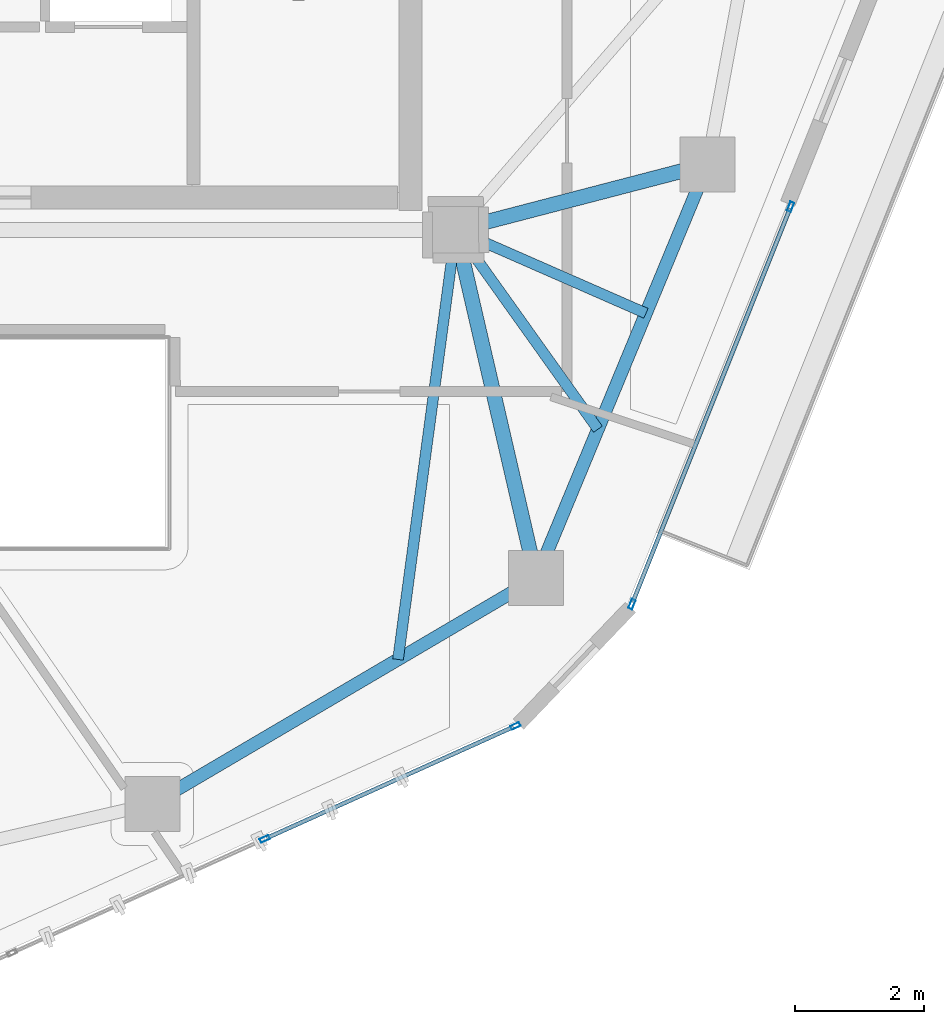
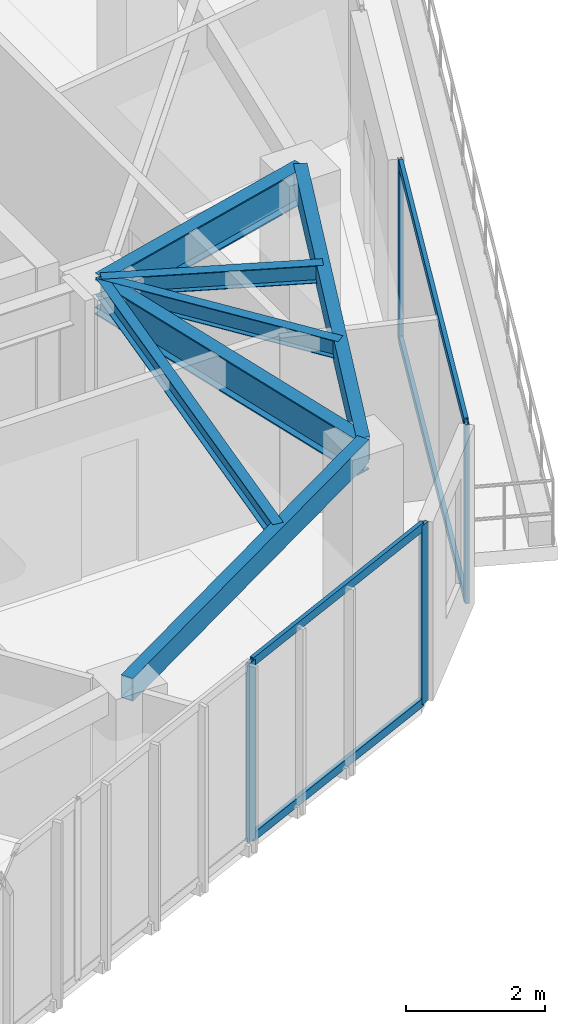
# One storey, part 6 of 21: 8 members, 7 beams, 2 elements without a shape of their own.
"""IFC4 building model written with IfcOpenShell, lengths in metres."""

from ifc_helpers import new_model, si_unit, direction, frame, origin, origin_2d, place, context, subcontext, project, spatial, hollow_rectangle, i_section, extrude, source, transform, mapped, material, layer, layer_set, material_profile, profile_set, type_object, type_shapes, element, aggregate, save


model = new_model("IFC4")

# Units and contexts
model_context = context("Model", 3, precision=1e-05, world=origin(), true_north=direction((0.0, 1.0)))
body_context = subcontext(model_context, "Body", "Model", "MODEL_VIEW")
ifc_project = project(units=[si_unit("LENGTHUNIT", "METRE"), si_unit("AREAUNIT", "SQUARE_METRE"), si_unit("VOLUMEUNIT", "CUBIC_METRE"), si_unit("PLANEANGLEUNIT", "RADIAN"), si_unit("MASSUNIT", "GRAM", prefix="KILO")], contexts=[model_context])

# Site, building, storey
site_placement = place(None, origin())
site = spatial("IfcSite", under=ifc_project, at=site_placement, CompositionType="ELEMENT")
building_placement = place(site_placement, origin())
building = spatial("IfcBuilding", under=site, at=building_placement, Name="Talar Marvaseh", CompositionType="ELEMENT")
storey_placement = place(building_placement, frame((0.0, 0.0, 271.39990234375)))
storey = spatial("IfcBuildingStorey", under=building, at=storey_placement, Name="L72", CompositionType="ELEMENT", Elevation=271.39990234375)

# Beams
ifc_material_1 = material(Name="Steel S355", Category="steel")
ifc_material_profile_1 = material_profile(ifc_material_1, hollow_rectangle(XDim=0.199951171875, YDim=0.39990234375, WallThickness=0.013916015625, at=origin_2d()), Name="RHS400x200x14")
ifc_profile_set_1 = profile_set([ifc_material_profile_1], Name="Steel S355")
beam_type_1 = type_object("IfcBeamType", Name="Zone 3 Perimeter Spandrel Beam RHS400x200x14", PredefinedType="SPANDREL", material=ifc_profile_set_1)
beam_1_placement = place(storey_placement, frame((37.197021484375, 26.513916015625, 2.940185546875), z_axis=(-0.382798740112, -0.923831762048, 0.0), x_axis=(0.923831762048, -0.382798740112, 0.0)))
element("IfcBeam", 1, at=beam_1_placement, inside=storey, type_object=beam_type_1, Name="L72 Zone 3 Perimeter Spandrel Beam RHS400x200x14", PredefinedType="SPANDREL", context=body_context, shape_type="SweptSolid", body=[
    extrude(hollow_rectangle(XDim=0.199951171875, YDim=0.39990234375, WallThickness=0.013916015625, at=origin_2d()), origin(), (0.0, 0.0, 1.0), 6.9306640625),
])
beam_2_placement = place(storey_placement, frame((34.5439453125, 20.111083984375, 2.940185546875), z_axis=(-0.861894136287, -0.507088254482, 0.0), x_axis=(0.507088254482, -0.861894136287, 0.0)))
element("IfcBeam", 2, at=beam_2_placement, inside=storey, type_object=beam_type_1, Name="L72 Zone 3 Perimeter Spandrel Beam RHS400x200x14", PredefinedType="SPANDREL", context=body_context, shape_type="SweptSolid", body=[
    extrude(hollow_rectangle(XDim=0.199951171875, YDim=0.39990234375, WallThickness=0.013916015625, at=origin_2d()), origin(), (0.0, 0.0, 1.0), 6.890625),
])
ifc_material_profile_2 = material_profile(ifc_material_1, i_section(OverallWidth=0.166015625, OverallDepth=0.31298828125, WebThickness=0.006591796875, FlangeThickness=0.01123046875, at=origin_2d()), Name="W310x45")
ifc_profile_set_2 = profile_set([ifc_material_profile_2], Name="Steel S355")
beam_type_2 = type_object("IfcBeamType", Name="Zone 3 Secondary Floor Joist W310x45", PredefinedType="JOIST", material=ifc_profile_set_2)
beam_3_placement = place(storey_placement, frame((36.241943359375, 24.208984375, 2.983642578125), z_axis=(-0.915706783714, 0.401847093135, 0.0), x_axis=(-0.401847093135, -0.915706783714, 0.0)))
element("IfcBeam", 3, at=beam_3_placement, inside=storey, type_object=beam_type_2, Name="L72 Zone 3 Secondary Floor Joist W310x45", PredefinedType="JOIST", context=body_context, shape_type="SweptSolid", body=[
    extrude(i_section(OverallWidth=0.166015625, OverallDepth=0.31298828125, WebThickness=0.006591796875, FlangeThickness=0.01123046875, at=origin_2d()), origin(), (0.0, 0.0, 1.0), 3.212646484375),
])
beam_4_placement = place(storey_placement, frame((35.4990234375, 22.416015625, 2.983642578125), z_axis=(-0.580561197682, 0.814216614757, 0.0), x_axis=(-0.814216614757, -0.580561197682, 0.0)))
element("IfcBeam", 4, at=beam_4_placement, inside=storey, type_object=beam_type_2, Name="L72 Zone 3 Secondary Floor Joist W310x45", PredefinedType="JOIST", context=body_context, shape_type="SweptSolid", body=[
    extrude(i_section(OverallWidth=0.166015625, OverallDepth=0.31298828125, WebThickness=0.006591796875, FlangeThickness=0.01123046875, at=origin_2d()), origin(), (0.0, 0.0, 1.0), 3.78759765625),
])
beam_5_placement = place(storey_placement, frame((32.406005859375, 18.853271484375, 2.983642578125), z_axis=(0.133308183872, 0.991074632968, 0.0), x_axis=(-0.991074632968, 0.133308183872, 0.0)))
element("IfcBeam", 5, at=beam_5_placement, inside=storey, type_object=beam_type_2, Name="L72 Zone 3 Secondary Floor Joist W310x45", PredefinedType="JOIST", context=body_context, shape_type="SweptSolid", body=[
    extrude(i_section(OverallWidth=0.166015625, OverallDepth=0.31298828125, WebThickness=0.006591796875, FlangeThickness=0.01123046875, at=origin_2d()), origin(), (0.0, 0.0, 1.0), 6.70654296875),
])
ifc_material_profile_3 = material_profile(ifc_material_1, i_section(OverallWidth=0.22998046875, OverallDepth=0.616943359375, WebThickness=0.01318359375, FlangeThickness=0.022216796875, at=origin_2d()), Name="W610x140")
ifc_profile_set_3 = profile_set([ifc_material_profile_3], Name="Steel S355")
beam_type_3 = type_object("IfcBeamType", Name="Zone 4 Radial Floor Girder W610x140", PredefinedType="BEAM", material=ifc_profile_set_3)
beam_6_placement = place(storey_placement, frame((37.197021484375, 26.513916015625, 2.83154296875), z_axis=(-0.967779967746, -0.251797406719, 0.0), x_axis=(0.251797406719, -0.967779967746, 0.0)))
element("IfcBeam", 6, at=beam_6_placement, inside=storey, type_object=beam_type_3, Name="L72 Zone 4 Radial Floor Girder W610x140", PredefinedType="BEAM", context=body_context, shape_type="SweptSolid", body=[
    extrude(i_section(OverallWidth=0.22998046875, OverallDepth=0.616943359375, WebThickness=0.01318359375, FlangeThickness=0.022216796875, at=origin_2d()), origin(), (0.0, 0.0, 1.0), 4.026611328125),
])
beam_7_placement = place(storey_placement, frame((34.5439453125, 20.111083984375, 2.83154296875), z_axis=(-0.22491108979, 0.974379290466, 0.0), x_axis=(-0.974379290466, -0.22491108979, 0.0)))
element("IfcBeam", 7, at=beam_7_placement, inside=storey, type_object=beam_type_3, Name="L72 Zone 4 Radial Floor Girder W610x140", PredefinedType="BEAM", context=body_context, shape_type="SweptSolid", body=[
    extrude(i_section(OverallWidth=0.22998046875, OverallDepth=0.616943359375, WebThickness=0.01318359375, FlangeThickness=0.022216796875, at=origin_2d()), origin(), (0.0, 0.0, 1.0), 5.530517578125),
])

# Curtain wall, members
ifc_material_2 = material(Name="Architectural Aluminium", Category="aluminium")
ifc_layer = layer(ifc_material_2, 0.179931640625)
ifc_layer_set = layer_set([ifc_layer], Name="Architectural Aluminium")
curtain_wall_type = type_object("IfcCurtainWallType", Name="Unitised High-Wind Sky Curtain Wall Z4", PredefinedType="NOTDEFINED", material=ifc_layer_set)
curtain_wall_1_placement = place(storey_placement, origin())
curtain_wall_1 = element("IfcCurtainWall", 8, at=curtain_wall_1_placement, inside=storey, type_object=curtain_wall_type, Name="L72 Unitised High-Wind Sky Curtain Wall Z4", PredefinedType="NOTDEFINED")
ifc_material_profile_4 = material_profile(ifc_material_2, hollow_rectangle(XDim=0.06494140625, YDim=0.14990234375, WallThickness=0.00390625, at=origin_2d()), Name="RHS150x65x4")
ifc_profile_set_4 = profile_set([ifc_material_profile_4], Name="Architectural Aluminium")
member_type_1 = type_object("IfcMemberType", Name="Unitised Curtain Wall Slim Transom RHS150x65x4", PredefinedType="USERDEFINED", material=ifc_profile_set_4)
shared_shape_1 = source(origin(), body_context, "Body", "SweptSolid", [
    extrude(hollow_rectangle(XDim=0.06494140625, YDim=0.14990234375, WallThickness=0.00390625, at=origin_2d()), origin(), (0.0, 0.0, 1.0), 4.188720703125),
])
member_1_placement = place(storey_placement, frame((34.192626953125, 17.810791015625, 0.03271484375), z_axis=(-0.911679243459, -0.410902612606, 0.0), x_axis=(0.410902612606, -0.911679243459, 0.0)))
member_1 = element("IfcMember", 9, at=member_1_placement, type_object=member_type_1, Name="CW-Z4 transom 1.1", ObjectType="TRANSOM", PredefinedType="USERDEFINED", context=body_context, shape_type="MappedRepresentation", body=[
    mapped(shared_shape_1, transform((0.0, 0.0, 0.0), x_axis=(1.0, 0.0, 0.0), y_axis=(0.0, 1.0, 0.0), z_axis=(0.0, 0.0, 1.0), scale=1.0)),
])
member_2_placement = place(storey_placement, frame((34.192626953125, 17.810791015625, 3.107666015625), z_axis=(-0.911679243459, -0.410902612606, 0.0), x_axis=(0.410902612606, -0.911679243459, 0.0)))
member_2 = element("IfcMember", 10, at=member_2_placement, type_object=member_type_1, Name="CW-Z4 transom 1.2", ObjectType="TRANSOM", PredefinedType="USERDEFINED", context=body_context, shape_type="MappedRepresentation", body=[
    mapped(shared_shape_1, transform((0.0, 0.0, 0.0), x_axis=(1.0, 0.0, 0.0), y_axis=(0.0, 1.0, 0.0), z_axis=(0.0, 0.0, 1.0), scale=1.0)),
])

curtain_wall_2_placement = place(storey_placement, origin())
curtain_wall_2 = element("IfcCurtainWall", 11, at=curtain_wall_2_placement, inside=storey, type_object=curtain_wall_type, Name="L72 Unitised High-Wind Sky Curtain Wall Z4", PredefinedType="NOTDEFINED")
ifc_material_profile_5 = material_profile(ifc_material_2, hollow_rectangle(XDim=0.06494140625, YDim=0.14990234375, WallThickness=0.00390625, at=origin_2d()), Name="RHS150x65x4")
ifc_profile_set_5 = profile_set([ifc_material_profile_5], Name="Architectural Aluminium")
member_type_2 = type_object("IfcMemberType", Name="Unitised Curtain Wall Slim Mullion RHS150x65x4", PredefinedType="MULLION", material=ifc_profile_set_5)
shared_shape_2 = source(origin(), body_context, "Body", "SweptSolid", [
    extrude(hollow_rectangle(XDim=0.06494140625, YDim=0.14990234375, WallThickness=0.00390625, at=origin_2d()), origin(), (0.0, 0.0, 1.0), 3.14013671875),
])
type_shapes(member_type_2, [shared_shape_2])
member_3_placement = place(storey_placement, frame((38.47998046875, 25.857421875, 0.0), z_axis=(0.0, 0.0, 1.0), x_axis=(0.928753878354, -0.370696956344, 0.0)))
member_3 = element("IfcMember", 12, at=member_3_placement, type_object=member_type_2, Name="CW-Z4 mullion 1", PredefinedType="MULLION", context=body_context, shape_type="MappedRepresentation", body=[
    mapped(shared_shape_2, transform((0.0, 0.0, 0.0), x_axis=(1.0, 0.0, 0.0), y_axis=(0.0, 1.0, 0.0), z_axis=(0.0, 0.0, 1.0), scale=1.0)),
])
member_4_placement = place(storey_placement, frame((36.025390625, 19.707763671875, 0.0), z_axis=(0.0, 0.0, 1.0), x_axis=(0.928753878354, -0.370696956344, 0.0)))
member_4 = element("IfcMember", 13, at=member_4_placement, type_object=member_type_2, Name="CW-Z4 mullion 2", PredefinedType="MULLION", context=body_context, shape_type="MappedRepresentation", body=[
    mapped(shared_shape_2, transform((0.0, 0.0, 0.0), x_axis=(1.0, 0.0, 0.0), y_axis=(0.0, 1.0, 0.0), z_axis=(0.0, 0.0, 1.0), scale=1.0)),
])

# Member
member_5_placement = place(storey_placement, frame((34.22216796875, 17.823974609375, 0.0), z_axis=(0.0, 0.0, 1.0), x_axis=(0.410859599187, -0.9116986288, 0.0)))
member_5 = element("IfcMember", 14, at=member_5_placement, type_object=member_type_2, Name="CW-Z4 mullion 1", PredefinedType="MULLION", context=body_context, shape_type="MappedRepresentation", body=[
    mapped(shared_shape_2, transform((0.0, 0.0, 0.0), x_axis=(1.0, 0.0, 0.0), y_axis=(0.0, 1.0, 0.0), z_axis=(0.0, 0.0, 1.0), scale=1.0)),
])

member_6_placement = place(storey_placement, frame((30.34423828125, 16.076416015625, 0.0), z_axis=(0.0, 0.0, 1.0), x_axis=(0.410859599187, -0.9116986288, 0.0)))
member_6 = element("IfcMember", 15, at=member_6_placement, type_object=member_type_2, Name="CW-Z4 mullion 2", PredefinedType="MULLION", context=body_context, shape_type="MappedRepresentation", body=[
    mapped(shared_shape_2, transform((0.0, 0.0, 0.0), x_axis=(1.0, 0.0, 0.0), y_axis=(0.0, 1.0, 0.0), z_axis=(0.0, 0.0, 1.0), scale=1.0)),
])

aggregate(curtain_wall_1, [member_5, member_6, member_1, member_2])

shared_shape_3 = source(origin(), body_context, "Body", "SweptSolid", [
    extrude(hollow_rectangle(XDim=0.06494140625, YDim=0.14990234375, WallThickness=0.00390625, at=origin_2d()), origin(), (0.0, 0.0, 1.0), 6.556884765625),
])
type_shapes(member_type_1, [shared_shape_1, shared_shape_3])
member_7_placement = place(storey_placement, frame((38.468017578125, 25.827392578125, 0.03271484375), z_axis=(-0.370710077784, -0.928748641038, 0.0), x_axis=(0.928748641038, -0.370710077784, 0.0)))
member_7 = element("IfcMember", 16, at=member_7_placement, type_object=member_type_1, Name="CW-Z4 transom 1.1", ObjectType="TRANSOM", PredefinedType="USERDEFINED", context=body_context, shape_type="MappedRepresentation", body=[
    mapped(shared_shape_3, transform((0.0, 0.0, 0.0), x_axis=(1.0, 0.0, 0.0), y_axis=(0.0, 1.0, 0.0), z_axis=(0.0, 0.0, 1.0), scale=1.0)),
])

member_8_placement = place(storey_placement, frame((38.468017578125, 25.827392578125, 3.107666015625), z_axis=(-0.370710077784, -0.928748641038, 0.0), x_axis=(0.928748641038, -0.370710077784, 0.0)))
member_8 = element("IfcMember", 17, at=member_8_placement, type_object=member_type_1, Name="CW-Z4 transom 1.2", ObjectType="TRANSOM", PredefinedType="USERDEFINED", context=body_context, shape_type="MappedRepresentation", body=[
    mapped(shared_shape_3, transform((0.0, 0.0, 0.0), x_axis=(1.0, 0.0, 0.0), y_axis=(0.0, 1.0, 0.0), z_axis=(0.0, 0.0, 1.0), scale=1.0)),
])

aggregate(curtain_wall_2, [member_3, member_4, member_7, member_8])

save(model, "model.ifc")
